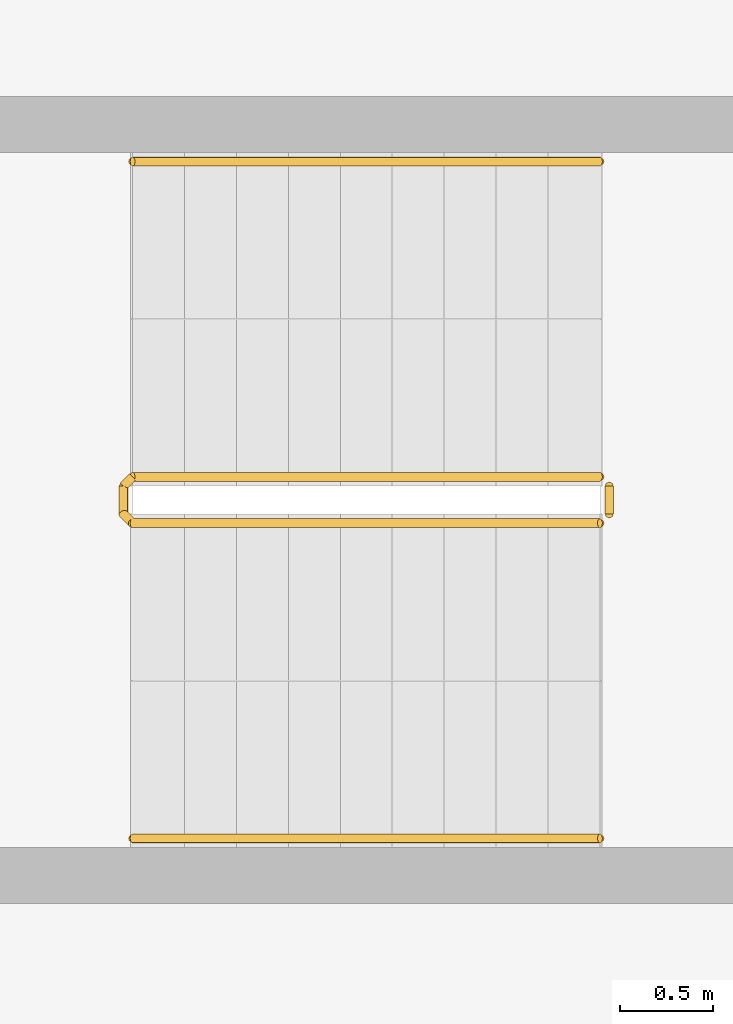
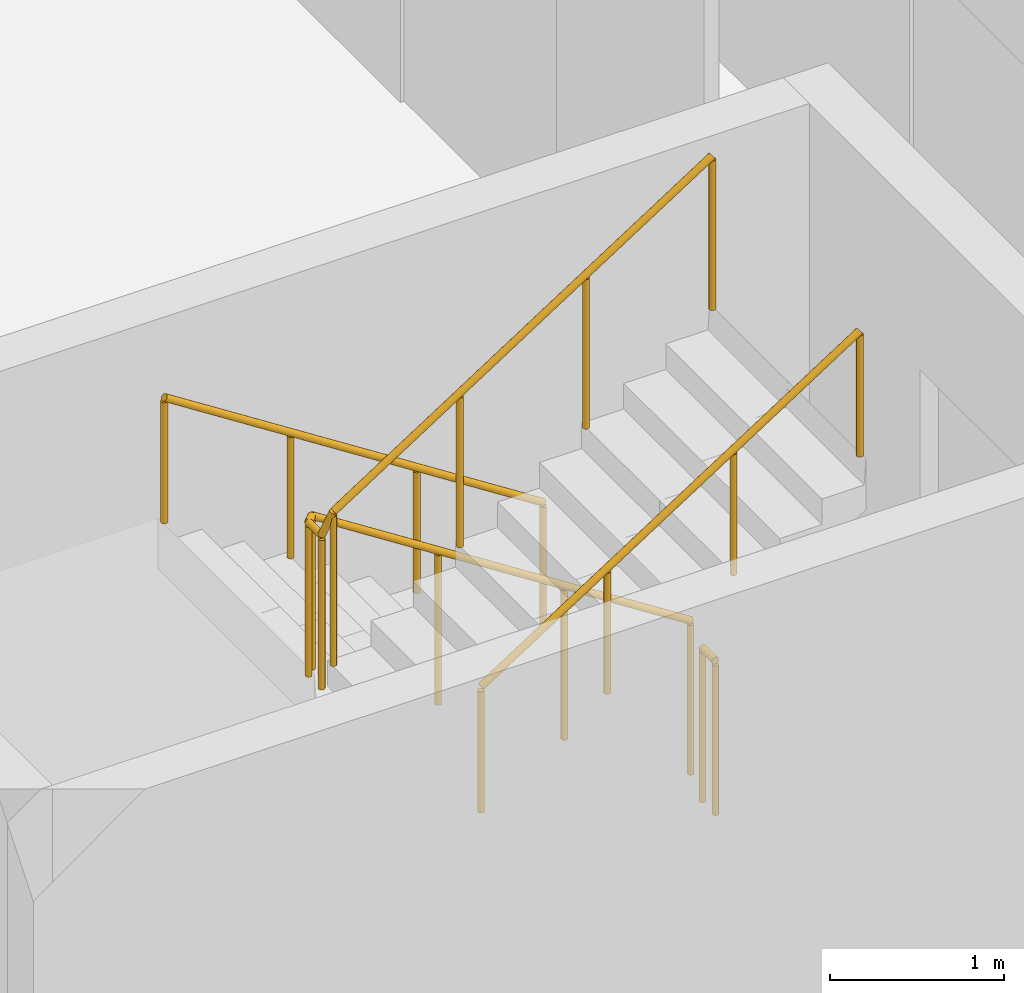
# One storey, part 21 of 24: 4 railings.
"""IFC4 building model written with IfcOpenShell, lengths in metres."""

from ifc_helpers import new_model, si_unit, direction, frame, origin, origin_2d, place, context, subcontext, project, spatial, circle, extrude, material, type_object, element, save


model = new_model("IFC4")

# Units and contexts
model_context = context("Model", 3, precision=1e-05, world=origin(), true_north=direction((0.0, 1.0)))
body_context = subcontext(model_context, "Body", "Model", "MODEL_VIEW")
ifc_project = project(units=[si_unit("LENGTHUNIT", "METRE"), si_unit("AREAUNIT", "SQUARE_METRE"), si_unit("VOLUMEUNIT", "CUBIC_METRE"), si_unit("PLANEANGLEUNIT", "RADIAN"), si_unit("MASSUNIT", "GRAM", prefix="KILO")], contexts=[model_context])

# Site, building, storey
site_placement = place(None, origin())
site = spatial("IfcSite", under=ifc_project, at=site_placement, CompositionType="ELEMENT")
building_placement = place(site_placement, origin())
building = spatial("IfcBuilding", under=site, at=building_placement, Name="Wharfspan Tower", CompositionType="ELEMENT")
storey_placement = place(building_placement, frame((0.0, 0.0, 66.699951)))
storey = spatial("IfcBuildingStorey", under=building, at=storey_placement, Name="L13", CompositionType="ELEMENT", Elevation=66.699951)

# Railings
ifc_material = material(Name="Steel S355J2", Category="steel")
railing_type_1 = type_object("IfcRailingType", Name="Stair guard 1100", PredefinedType="GUARDRAIL", material=ifc_material)
railing_1_placement = place(storey_placement, frame((6.899902, 22.625, 0.179932)))
element("IfcRailing", 1, at=railing_1_placement, inside=storey, type_object=railing_type_1, Name="L13 ST3 stair guard 1", PredefinedType="GUARDRAIL", context=body_context, shape_type="SweptSolid", body=[
    extrude(circle(Radius=0.023926, at=origin_2d()), frame((0.0, 0.0, 1.076172), z_axis=(-0.841163, 0.0, 0.540782), x_axis=(0.0, -1.0, 0.0)), (0.0, 0.0, 1.0), 2.99585),
    extrude(circle(Radius=0.023926, at=origin_2d()), frame((-2.52002, 0.0, 2.696289), z_axis=(-0.705376, -0.708834, 0.0), x_axis=(0.708834, -0.705376, 0.0)), (0.0, 0.0, 1.0), 0.070557),
    extrude(circle(Radius=0.023926, at=origin_2d()), frame((-2.569824, -0.050049, 2.696289), z_axis=(0.0, -1.0, 0.0), x_axis=(1.0, 0.0, 0.0)), (0.0, 0.0, 1.0), 0.149902),
    extrude(circle(Radius=0.023926, at=origin_2d()), frame((-2.569824, -0.199951, 2.696289), z_axis=(0.257669, -0.258932, 0.930892), x_axis=(0.708833, 0.705372, -1e-06)), (0.0, 0.0, 1.0), 0.193359),
    extrude(circle(Radius=0.023926, at=origin_2d()), frame((-2.52002, -0.25, 2.875977), z_axis=(0.841163, 0.0, 0.540782), x_axis=(0.0, 1.0, 0.0)), (0.0, 0.0, 1.0), 2.99585),
    extrude(circle(Radius=0.020996, at=origin_2d()), origin(), (0.0, 0.0, 1.0), 1.052002),
    extrude(circle(Radius=0.020996, at=origin_2d()), frame((-0.840088, 0.0, 0.540039)), (0.0, 0.0, 1.0), 1.052002),
    extrude(circle(Radius=0.020996, at=origin_2d()), frame((-1.679932, 0.0, 1.080078)), (0.0, 0.0, 1.0), 1.052002),
    extrude(circle(Radius=0.020996, at=origin_2d()), frame((-2.52002, 0.0, 1.620117)), (0.0, 0.0, 1.0), 1.052002),
    extrude(circle(Radius=0.020996, at=origin_2d()), frame((-2.569824, -0.050049, 1.620117)), (0.0, 0.0, 1.0), 1.052002),
    extrude(circle(Radius=0.020996, at=origin_2d()), frame((-2.569824, -0.199951, 1.620117)), (0.0, 0.0, 1.0), 1.052002),
    extrude(circle(Radius=0.020996, at=origin_2d()), frame((-2.52002, -0.25, 1.800049)), (0.0, 0.0, 1.0), 1.052002),
    extrude(circle(Radius=0.020996, at=origin_2d()), frame((-1.679932, -0.25, 2.340088)), (0.0, 0.0, 1.0), 1.052002),
    extrude(circle(Radius=0.020996, at=origin_2d()), frame((-0.840088, -0.25, 2.880127)), (0.0, 0.0, 1.0), 1.052002),
    extrude(circle(Radius=0.020996, at=origin_2d()), frame((0.0, -0.25, 3.420166)), (0.0, 0.0, 1.0), 1.052002),
])
railing_2_placement = place(storey_placement, frame((6.949951, 22.574951, 0.0)))
element("IfcRailing", 2, at=railing_2_placement, inside=storey, type_object=railing_type_1, Name="L13 ST3 stair guard 2", PredefinedType="GUARDRAIL", context=body_context, shape_type="SweptSolid", body=[
    extrude(circle(Radius=0.023926, at=origin_2d()), frame((0.0, 0.0, 1.076172), z_axis=(0.0, -1.0, 0.0), x_axis=(1.0, 0.0, 0.0)), (0.0, 0.0, 1.0), 0.149902),
    extrude(circle(Radius=0.020996, at=origin_2d()), origin(), (0.0, 0.0, 1.0), 1.052002),
    extrude(circle(Radius=0.020996, at=origin_2d()), frame((0.0, -0.149902, 0.0)), (0.0, 0.0, 1.0), 1.052002),
])
railing_type_2 = type_object("IfcRailingType", Name="Stair handrail 900", PredefinedType="HANDRAIL", material=ifc_material)
railing_3_placement = place(storey_placement, frame((6.899902, 24.324951, 0.179932)))
element("IfcRailing", 3, at=railing_3_placement, inside=storey, type_object=railing_type_2, Name="L13 ST3 stair handrail 1", PredefinedType="HANDRAIL", context=body_context, shape_type="SweptSolid", body=[
    extrude(circle(Radius=0.023926, at=origin_2d()), frame((0.0, 0.0, 0.875977), z_axis=(-0.841163, 0.0, 0.540782), x_axis=(0.0, -1.0, 0.0)), (0.0, 0.0, 1.0), 2.99585),
    extrude(circle(Radius=0.020996, at=origin_2d()), origin(), (0.0, 0.0, 1.0), 0.851807),
    extrude(circle(Radius=0.020996, at=origin_2d()), frame((-0.840088, 0.0, 0.540039)), (0.0, 0.0, 1.0), 0.851807),
    extrude(circle(Radius=0.020996, at=origin_2d()), frame((-1.679932, 0.0, 1.080078)), (0.0, 0.0, 1.0), 0.851807),
    extrude(circle(Radius=0.020996, at=origin_2d()), frame((-2.52002, 0.0, 1.620117)), (0.0, 0.0, 1.0), 0.851807),
])
railing_4_placement = place(storey_placement, frame((4.379883, 20.675049, 1.97998)))
element("IfcRailing", 4, at=railing_4_placement, inside=storey, type_object=railing_type_2, Name="L13 ST3 stair handrail 2", PredefinedType="HANDRAIL", context=body_context, shape_type="SweptSolid", body=[
    extrude(circle(Radius=0.023926, at=origin_2d()), frame((0.0, 0.0, 0.875977), z_axis=(0.841163, 0.0, 0.540782), x_axis=(0.0, 1.0, 0.0)), (0.0, 0.0, 1.0), 2.99585),
    extrude(circle(Radius=0.020996, at=origin_2d()), origin(), (0.0, 0.0, 1.0), 0.851807),
    extrude(circle(Radius=0.020996, at=origin_2d()), frame((0.840088, 0.0, 0.540039)), (0.0, 0.0, 1.0), 0.851807),
    extrude(circle(Radius=0.020996, at=origin_2d()), frame((1.679932, 0.0, 1.080078)), (0.0, 0.0, 1.0), 0.851807),
    extrude(circle(Radius=0.020996, at=origin_2d()), frame((2.52002, 0.0, 1.620117)), (0.0, 0.0, 1.0), 0.851807),
])

save(model, "model.ifc")
